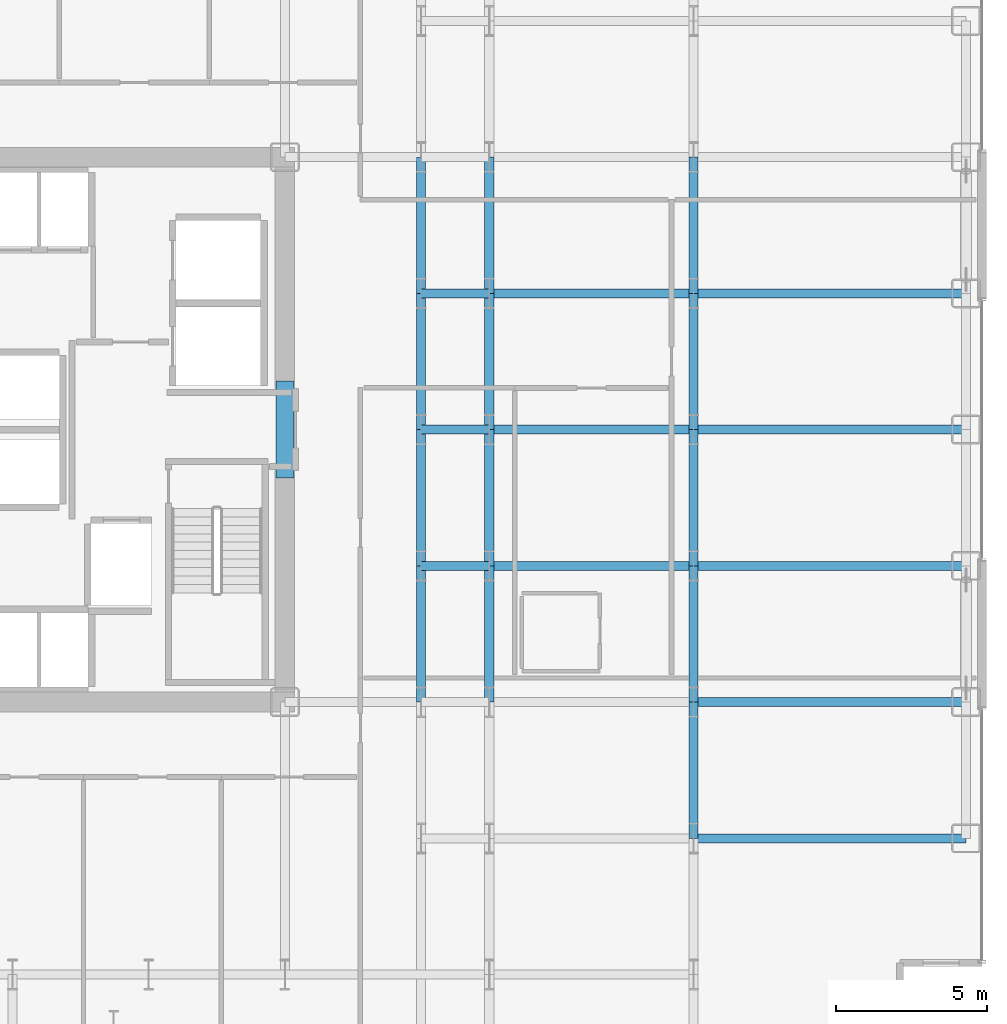
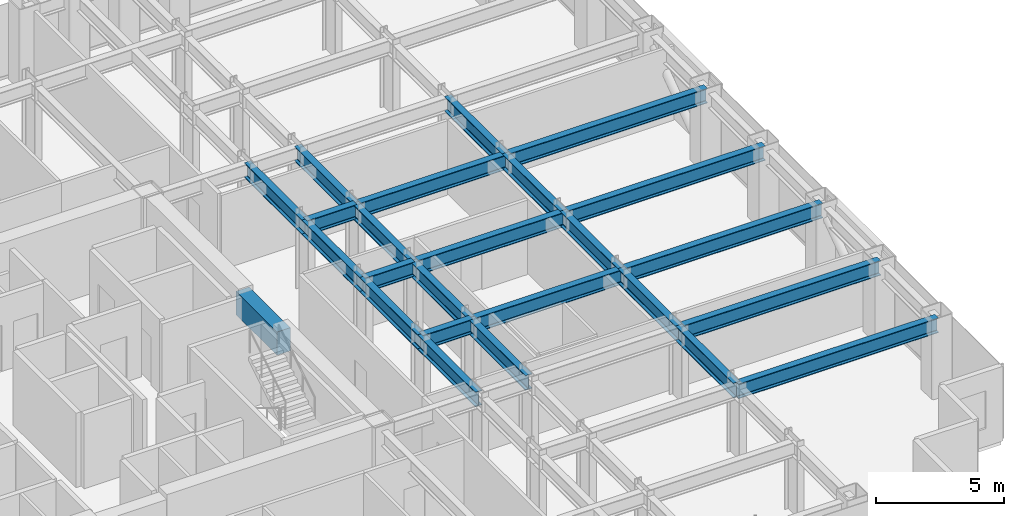
# One storey, part 10 of 29: 25 beams.
"""IFC4 building model written with IfcOpenShell, lengths in metres."""

from ifc_helpers import new_model, si_unit, direction, frame, origin, origin_2d, place, context, subcontext, project, spatial, rectangle, i_section, extrude, source, transform, mapped, material, material_profile, profile_set, type_object, element, save


model = new_model("IFC4")

# Units and contexts
model_context = context("Model", 3, precision=1e-05, world=origin(), true_north=direction((0.0, 1.0)))
body_context = subcontext(model_context, "Body", "Model", "MODEL_VIEW")
ifc_project = project(units=[si_unit("LENGTHUNIT", "METRE"), si_unit("AREAUNIT", "SQUARE_METRE"), si_unit("VOLUMEUNIT", "CUBIC_METRE"), si_unit("PLANEANGLEUNIT", "RADIAN"), si_unit("MASSUNIT", "GRAM", prefix="KILO")], contexts=[model_context])

# Site, building, storey
site_placement = place(None, origin())
site = spatial("IfcSite", under=ifc_project, at=site_placement, CompositionType="ELEMENT")
building_placement = place(site_placement, origin())
building = spatial("IfcBuilding", under=site, at=building_placement, Name="Nefas-Gora Pilgrimage Tower", CompositionType="ELEMENT")
storey_placement = place(building_placement, frame((0.0, 0.0, 78.60009765625)))
storey = spatial("IfcBuildingStorey", under=building, at=storey_placement, Name="L18", CompositionType="ELEMENT", Elevation=78.60009765625)

# Beams
ifc_material_1 = material(Name="Concrete C60/75", Category="concrete")
ifc_material_profile_1 = material_profile(ifc_material_1, rectangle(XDim=0.60009765625, YDim=1.10009765625, at=origin_2d()), Name="RC 600x1100")
ifc_profile_set_1 = profile_set([ifc_material_profile_1], Name="Concrete C60/75")
beam_type_1 = type_object("IfcBeamType", Name="BM-LIN-RC1100", PredefinedType="LINTEL", material=ifc_profile_set_1)
shared_shape_1 = source(origin(), body_context, "Body", "SweptSolid", [
    extrude(rectangle(XDim=0.60009765625, YDim=1.10009765625, at=origin_2d()), origin(), (0.0, 0.0, 1.0), 3.2001953125),
])
beam_placement = place(storey_placement, frame((11.25, -1.60009765625, 3.0), z_axis=(0.0, 1.0, 0.0), x_axis=(-1.0, 0.0, 0.0)))
element("IfcBeam", 1, at=beam_placement, inside=storey, type_object=beam_type_1, Name="L18 Core Coupling Lintel Beam E", PredefinedType="LINTEL", context=body_context, shape_type="MappedRepresentation", body=[
    mapped(shared_shape_1, transform((0.0, 0.0, 0.0), x_axis=(1.0, 0.0, 0.0), y_axis=(0.0, 1.0, 0.0), z_axis=(0.0, 0.0, 1.0), scale=1.0)),
])
ifc_material_2 = material(Name="Steel S355", Category="steel")
ifc_material_profile_2 = material_profile(ifc_material_2, i_section(OverallWidth=0.300048828125, OverallDepth=0.699951171875, WebThickness=0.01708984375, FlangeThickness=0.031982421875, FilletRadius=0.027099609375, at=origin_2d()), Name="HEB 700")
ifc_profile_set_2 = profile_set([ifc_material_profile_2], Name="Steel S355")
beam_type_2 = type_object("IfcBeamType", Name="BM-GIR-HEB700", PredefinedType="BEAM", material=ifc_profile_set_2)
shared_shape_2 = source(origin(), body_context, "Body", "SweptSolid", [
    extrude(i_section(OverallWidth=0.300048828125, OverallDepth=0.699951171875, WebThickness=0.01708984375, FlangeThickness=0.031982421875, FilletRadius=0.027099609375, at=origin_2d()), origin(), (0.0, 0.0, 1.0), 9.0),
])
for number, where, z_axis, x_axis, name in (
    (2, (24.75, -13.5, 3.199951171875), (1.0, 0.0, 0.0), (0.0, 1.0, 0.0), "L18 G-02 beam"),
    (3, (24.75, -9.0, 3.199951171875), (1.0, 0.0, 0.0), (0.0, 1.0, 0.0), "L18 G-02 beam"),
    (4, (24.75, -4.5, 3.199951171875), (1.0, 0.0, 0.0), (0.0, 1.0, 0.0), "L18 G-02 beam"),
    (5, (24.75, 0.0, 3.199951171875), (1.0, 0.0, 0.0), (0.0, 1.0, 0.0), "L18 G-02 beam"),
    (6, (24.75, 4.5, 3.199951171875), (1.0, 0.0, 0.0), (0.0, 1.0, 0.0), "L18 G-02 beam"),
):
    element("IfcBeam", number, at=place(storey_placement, frame(where, z_axis=z_axis, x_axis=x_axis)), inside=storey, type_object=beam_type_2, Name=name, PredefinedType="BEAM", context=body_context, shape_type="MappedRepresentation", body=[
        mapped(shared_shape_2, transform((0.0, 0.0, 0.0), x_axis=(1.0, 0.0, 0.0), y_axis=(0.0, 1.0, 0.0), z_axis=(0.0, 0.0, 1.0), scale=1.0)),
    ])
shared_shape_3 = source(origin(), body_context, "Body", "SweptSolid", [
    extrude(i_section(OverallWidth=0.300048828125, OverallDepth=0.699951171875, WebThickness=0.01708984375, FlangeThickness=0.031982421875, FilletRadius=0.027099609375, at=origin_2d()), origin(), (0.0, 0.0, 1.0), 4.5),
])
for number, where, z_axis, x_axis, name in (
    (7, (15.75, -9.0, 3.199951171875), (0.0, 1.0, 0.0), (-1.0, 0.0, 0.0), "L18 G-02 beam"),
    (8, (15.75, -4.5, 3.199951171875), (0.0, 1.0, 0.0), (-1.0, 0.0, 0.0), "L18 G-02 beam"),
    (9, (15.75, 0.0, 3.199951171875), (0.0, 1.0, 0.0), (-1.0, 0.0, 0.0), "L18 G-02 beam"),
    (10, (15.75, 4.5, 3.199951171875), (0.0, 1.0, 0.0), (-1.0, 0.0, 0.0), "L18 G-02 beam"),
    (11, (18.0, -9.0, 3.199951171875), (0.0, 1.0, 0.0), (-1.0, 0.0, 0.0), "L18 G-02 beam"),
    (12, (18.0, -4.5, 3.199951171875), (0.0, 1.0, 0.0), (-1.0, 0.0, 0.0), "L18 G-02 beam"),
    (13, (18.0, 0.0, 3.199951171875), (0.0, 1.0, 0.0), (-1.0, 0.0, 0.0), "L18 G-02 beam"),
    (14, (18.0, 4.5, 3.199951171875), (0.0, 1.0, 0.0), (-1.0, 0.0, 0.0), "L18 G-02 beam"),
    (15, (24.75, -13.5, 3.199951171875), (0.0, 1.0, 0.0), (-1.0, 0.0, 0.0), "L18 G-02 beam"),
    (16, (24.75, -9.0, 3.199951171875), (0.0, 1.0, 0.0), (-1.0, 0.0, 0.0), "L18 G-02 beam"),
    (17, (24.75, -4.5, 3.199951171875), (0.0, 1.0, 0.0), (-1.0, 0.0, 0.0), "L18 G-02 beam"),
    (18, (24.75, 0.0, 3.199951171875), (0.0, 1.0, 0.0), (-1.0, 0.0, 0.0), "L18 G-02 beam"),
    (19, (24.75, 4.5, 3.199951171875), (0.0, 1.0, 0.0), (-1.0, 0.0, 0.0), "L18 G-02 beam"),
):
    element("IfcBeam", number, at=place(storey_placement, frame(where, z_axis=z_axis, x_axis=x_axis)), inside=storey, type_object=beam_type_2, Name=name, PredefinedType="BEAM", context=body_context, shape_type="MappedRepresentation", body=[
        mapped(shared_shape_3, transform((0.0, 0.0, 0.0), x_axis=(1.0, 0.0, 0.0), y_axis=(0.0, 1.0, 0.0), z_axis=(0.0, 0.0, 1.0), scale=1.0)),
    ])
shared_shape_4 = source(origin(), body_context, "Body", "SweptSolid", [
    extrude(i_section(OverallWidth=0.300048828125, OverallDepth=0.699951171875, WebThickness=0.01708984375, FlangeThickness=0.031982421875, FilletRadius=0.027099609375, at=origin_2d()), origin(), (0.0, 0.0, 1.0), 6.75),
])
for number, where, z_axis, x_axis, name in (
    (20, (18.0, -4.5, 3.199951171875), (1.0, 0.0, 0.0), (0.0, 1.0, 0.0), "L18 G-02 beam"),
    (21, (18.0, 0.0, 3.199951171875), (1.0, 0.0, 0.0), (0.0, 1.0, 0.0), "L18 G-02 beam"),
    (22, (18.0, 4.5, 3.199951171875), (1.0, 0.0, 0.0), (0.0, 1.0, 0.0), "L18 G-02 beam"),
):
    element("IfcBeam", number, at=place(storey_placement, frame(where, z_axis=z_axis, x_axis=x_axis)), inside=storey, type_object=beam_type_2, Name=name, PredefinedType="BEAM", context=body_context, shape_type="MappedRepresentation", body=[
        mapped(shared_shape_4, transform((0.0, 0.0, 0.0), x_axis=(1.0, 0.0, 0.0), y_axis=(0.0, 1.0, 0.0), z_axis=(0.0, 0.0, 1.0), scale=1.0)),
    ])
shared_shape_5 = source(origin(), body_context, "Body", "SweptSolid", [
    extrude(i_section(OverallWidth=0.300048828125, OverallDepth=0.699951171875, WebThickness=0.01708984375, FlangeThickness=0.031982421875, FilletRadius=0.027099609375, at=origin_2d()), origin(), (0.0, 0.0, 1.0), 2.25),
])
for number, where, z_axis, x_axis, name in (
    (23, (15.75, -4.5, 3.199951171875), (1.0, 0.0, 0.0), (0.0, 1.0, 0.0), "L18 G-02 beam"),
    (24, (15.75, 0.0, 3.199951171875), (1.0, 0.0, 0.0), (0.0, 1.0, 0.0), "L18 G-02 beam"),
    (25, (15.75, 4.5, 3.199951171875), (1.0, 0.0, 0.0), (0.0, 1.0, 0.0), "L18 G-02 beam"),
):
    element("IfcBeam", number, at=place(storey_placement, frame(where, z_axis=z_axis, x_axis=x_axis)), inside=storey, type_object=beam_type_2, Name=name, PredefinedType="BEAM", context=body_context, shape_type="MappedRepresentation", body=[
        mapped(shared_shape_5, transform((0.0, 0.0, 0.0), x_axis=(1.0, 0.0, 0.0), y_axis=(0.0, 1.0, 0.0), z_axis=(0.0, 0.0, 1.0), scale=1.0)),
    ])

save(model, "model.ifc")
